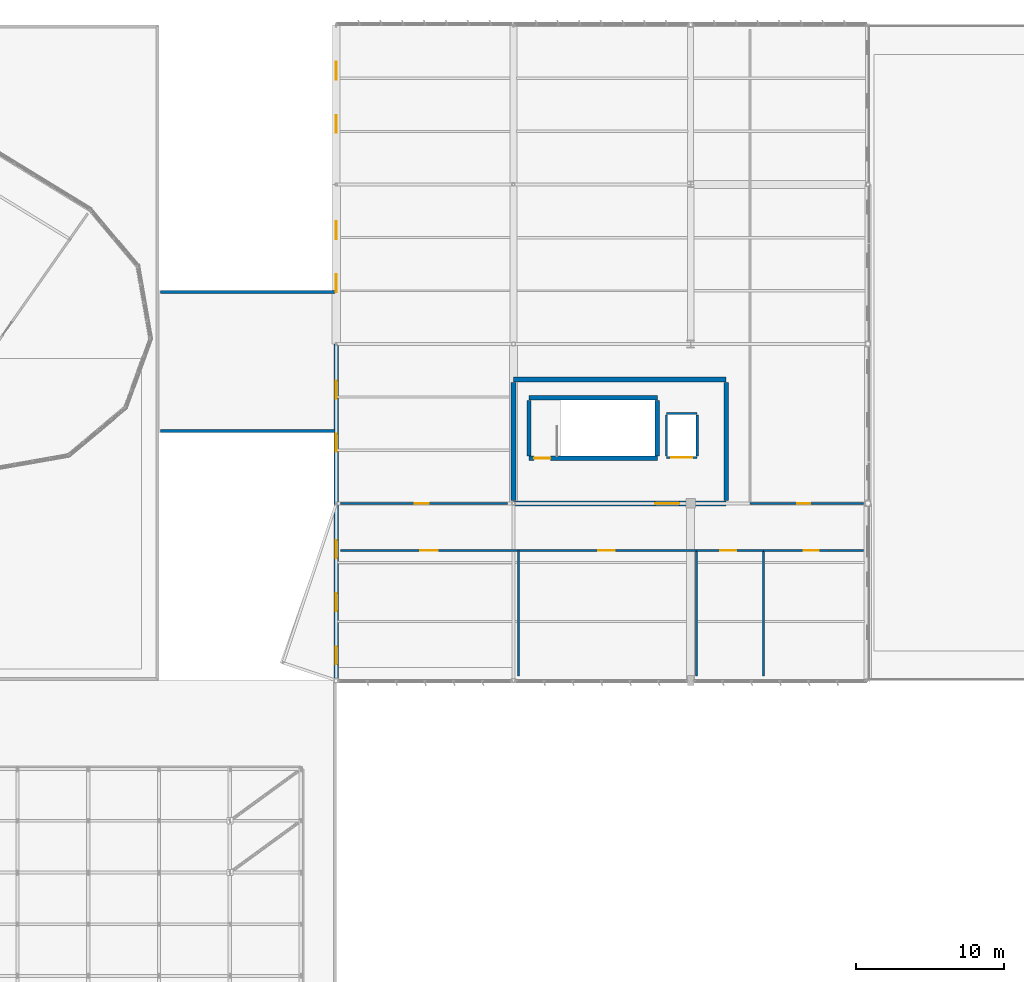
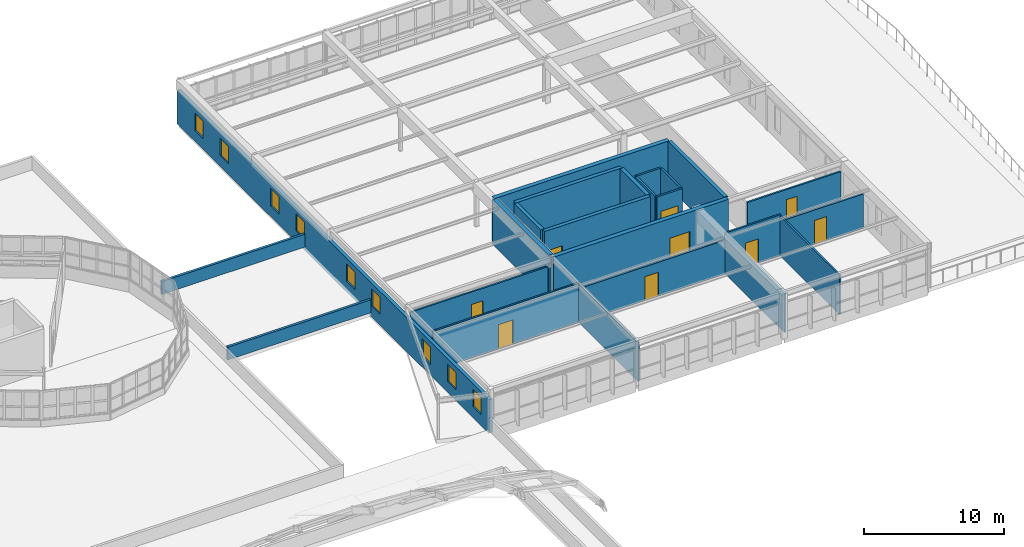
# One storey, part 111 of 128: 24 walls, 9 doors, 9 windows, 18 openings.
"""IFC4 building model written with IfcOpenShell, lengths in metres."""

from ifc_helpers import new_model, si_unit, direction, frame, frame_2d, origin, place, context, subcontext, project, spatial, rectangle, extrude, material, layer, layer_set, type_object, element, fill, save


model = new_model("IFC4")

# Units and contexts
model_context = context("Model", 3, precision=1e-05, world=origin(), true_north=direction((0.0, 1.0)))
body_context = subcontext(model_context, "Body", "Model", "MODEL_VIEW")
ifc_project = project(units=[si_unit("LENGTHUNIT", "METRE"), si_unit("AREAUNIT", "SQUARE_METRE"), si_unit("VOLUMEUNIT", "CUBIC_METRE"), si_unit("PLANEANGLEUNIT", "RADIAN"), si_unit("MASSUNIT", "GRAM", prefix="KILO")], contexts=[model_context])

# Site, building, storey
site_placement = place(None, origin())
site = spatial("IfcSite", under=ifc_project, at=site_placement, CompositionType="ELEMENT")
building_placement = place(site_placement, origin())
building = spatial("IfcBuilding", under=site, at=building_placement, Name="Tarnwether General Hospital", CompositionType="ELEMENT")
storey_placement = place(building_placement, frame((0.0, 0.0, 14.39990234375)))
storey = spatial("IfcBuildingStorey", under=building, at=storey_placement, Name="L03", CompositionType="ELEMENT", Elevation=14.39990234375)

# Wall, openings, windows
ifc_material_1 = material(Name="Precast concrete 40 MPa", Category="concrete")
ifc_layer_1 = layer(ifc_material_1, 0.280029296875)
ifc_layer_set_1 = layer_set([ifc_layer_1], Name="Precast concrete 40 MPa")
wall_type_1 = type_object("IfcWallType", Name="WL-EX280", PredefinedType="STANDARD", material=ifc_layer_set_1)
wall_1_placement = place(storey_placement, frame((144.0, 81.60009765625, 0.0), z_axis=(0.0, 0.0, 1.0), x_axis=(0.0, 1.0, 0.0)))
wall_1 = element("IfcWall", 1, at=wall_1_placement, inside=storey, type_object=wall_type_1, Name="L03 Outpatient North West Wall EW-L03-0328", PredefinedType="STANDARD", context=body_context, shape_type="SweptSolid", body=[
    extrude(rectangle(XDim=44.39990234375, YDim=0.280029296875, at=frame_2d((22.199951171875, 0.0))), origin(), (0.0, 0.0, 1.0), 2.93505859375),
])
opening_1_placement = place(wall_1_placement, frame((1.10009765625, 0.0, 0.949951171875)))
opening_1 = element("IfcOpeningElement", 2, at=opening_1_placement, cuts=wall_1, Name="Opening W-01", PredefinedType="OPENING", context=body_context, shape_type="SweptSolid", body=[
    extrude(rectangle(XDim=1.199951171875, YDim=1.5, at=frame_2d((0.60009765625, 0.75))), frame((0.0, 0.14990234375, 0.0), z_axis=(0.0, -1.0, 0.0), x_axis=(1.0, 0.0, 0.0)), (0.0, 0.0, 1.0), 0.300048828125),
])
opening_2_placement = place(wall_1_placement, frame((4.699951171875, 0.0, 0.949951171875)))
opening_2 = element("IfcOpeningElement", 3, at=opening_2_placement, cuts=wall_1, Name="Opening W-01", PredefinedType="OPENING", context=body_context, shape_type="SweptSolid", body=[
    extrude(rectangle(XDim=1.199951171875, YDim=1.5, at=frame_2d((0.60009765625, 0.75))), frame((0.0, 0.14990234375, 0.0), z_axis=(0.0, -1.0, 0.0), x_axis=(1.0, 0.0, 0.0)), (0.0, 0.0, 1.0), 0.300048828125),
])
opening_3_placement = place(wall_1_placement, frame((8.300048828125, 0.0, 0.949951171875)))
opening_3 = element("IfcOpeningElement", 4, at=opening_3_placement, cuts=wall_1, Name="Opening W-01", PredefinedType="OPENING", context=body_context, shape_type="SweptSolid", body=[
    extrude(rectangle(XDim=1.199951171875, YDim=1.5, at=frame_2d((0.60009765625, 0.75))), frame((0.0, 0.14990234375, 0.0), z_axis=(0.0, -1.0, 0.0), x_axis=(1.0, 0.0, 0.0)), (0.0, 0.0, 1.0), 0.300048828125),
])
opening_4_placement = place(wall_1_placement, frame((15.5, 0.0, 0.949951171875)))
opening_4 = element("IfcOpeningElement", 5, at=opening_4_placement, cuts=wall_1, Name="Opening W-01", PredefinedType="OPENING", context=body_context, shape_type="SweptSolid", body=[
    extrude(rectangle(XDim=1.199951171875, YDim=1.5, at=frame_2d((0.60009765625, 0.75))), frame((0.0, 0.14990234375, 0.0), z_axis=(0.0, -1.0, 0.0), x_axis=(1.0, 0.0, 0.0)), (0.0, 0.0, 1.0), 0.300048828125),
])
opening_5_placement = place(wall_1_placement, frame((19.10009765625, 0.0, 0.949951171875)))
opening_5 = element("IfcOpeningElement", 6, at=opening_5_placement, cuts=wall_1, Name="Opening W-01", PredefinedType="OPENING", context=body_context, shape_type="SweptSolid", body=[
    extrude(rectangle(XDim=1.199951171875, YDim=1.5, at=frame_2d((0.60009765625, 0.75))), frame((0.0, 0.14990234375, 0.0), z_axis=(0.0, -1.0, 0.0), x_axis=(1.0, 0.0, 0.0)), (0.0, 0.0, 1.0), 0.300048828125),
])
opening_6_placement = place(wall_1_placement, frame((26.300048828125, 0.0, 0.949951171875)))
opening_6 = element("IfcOpeningElement", 7, at=opening_6_placement, cuts=wall_1, Name="Opening W-01", PredefinedType="OPENING", context=body_context, shape_type="SweptSolid", body=[
    extrude(rectangle(XDim=1.199951171875, YDim=1.5, at=frame_2d((0.60009765625, 0.75))), frame((0.0, 0.14990234375, 0.0), z_axis=(0.0, -1.0, 0.0), x_axis=(1.0, 0.0, 0.0)), (0.0, 0.0, 1.0), 0.300048828125),
])
opening_7_placement = place(wall_1_placement, frame((29.89990234375, 0.0, 0.949951171875)))
opening_7 = element("IfcOpeningElement", 8, at=opening_7_placement, cuts=wall_1, Name="Opening W-01", PredefinedType="OPENING", context=body_context, shape_type="SweptSolid", body=[
    extrude(rectangle(XDim=1.199951171875, YDim=1.5, at=frame_2d((0.60009765625, 0.75))), frame((0.0, 0.14990234375, 0.0), z_axis=(0.0, -1.0, 0.0), x_axis=(1.0, 0.0, 0.0)), (0.0, 0.0, 1.0), 0.300048828125),
])
opening_8_placement = place(wall_1_placement, frame((37.10009765625, 0.0, 0.949951171875)))
opening_8 = element("IfcOpeningElement", 9, at=opening_8_placement, cuts=wall_1, Name="Opening W-01", PredefinedType="OPENING", context=body_context, shape_type="SweptSolid", body=[
    extrude(rectangle(XDim=1.199951171875, YDim=1.5, at=frame_2d((0.60009765625, 0.75))), frame((0.0, 0.14990234375, 0.0), z_axis=(0.0, -1.0, 0.0), x_axis=(1.0, 0.0, 0.0)), (0.0, 0.0, 1.0), 0.300048828125),
])
opening_9_placement = place(wall_1_placement, frame((40.699951171875, 0.0, 0.949951171875)))
opening_9 = element("IfcOpeningElement", 10, at=opening_9_placement, cuts=wall_1, Name="Opening W-01", PredefinedType="OPENING", context=body_context, shape_type="SweptSolid", body=[
    extrude(rectangle(XDim=1.199951171875, YDim=1.5, at=frame_2d((0.60009765625, 0.75))), frame((0.0, 0.14990234375, 0.0), z_axis=(0.0, -1.0, 0.0), x_axis=(1.0, 0.0, 0.0)), (0.0, 0.0, 1.0), 0.300048828125),
])
ifc_material_2 = material(Name="Double glazed low-E glass", Category="glass")
window_type = type_object("IfcWindowType", Name="WN-01", PartitioningType="SINGLE_PANEL", PredefinedType="WINDOW", material=ifc_material_2)
window_1_placement = place(opening_1_placement, origin())
window_1 = element("IfcWindow", 11, at=window_1_placement, inside=storey, type_object=window_type, Name="Window WN-L03-0169", OverallHeight=1.5, OverallWidth=1.199951171875, PartitioningType="SINGLE_PANEL", PredefinedType="WINDOW", context=body_context, shape_type="SweptSolid", body=[
    extrude(rectangle(XDim=1.199951171875, YDim=1.5, at=frame_2d((0.60009765625, 0.75))), frame((0.0, 0.030029296875, 0.0), z_axis=(0.0, -1.0, 0.0), x_axis=(1.0, 0.0, 0.0)), (0.0, 0.0, 1.0), 0.06005859375),
])
fill(opening_1, window_1)
window_2_placement = place(opening_2_placement, origin())
window_2 = element("IfcWindow", 12, at=window_2_placement, inside=storey, type_object=window_type, Name="Window WN-L03-0170", OverallHeight=1.5, OverallWidth=1.199951171875, PartitioningType="SINGLE_PANEL", PredefinedType="WINDOW", context=body_context, shape_type="SweptSolid", body=[
    extrude(rectangle(XDim=1.199951171875, YDim=1.5, at=frame_2d((0.60009765625, 0.75))), frame((0.0, 0.030029296875, 0.0), z_axis=(0.0, -1.0, 0.0), x_axis=(1.0, 0.0, 0.0)), (0.0, 0.0, 1.0), 0.06005859375),
])
fill(opening_2, window_2)
window_3_placement = place(opening_3_placement, origin())
window_3 = element("IfcWindow", 13, at=window_3_placement, inside=storey, type_object=window_type, Name="Window WN-L03-0171", OverallHeight=1.5, OverallWidth=1.199951171875, PartitioningType="SINGLE_PANEL", PredefinedType="WINDOW", context=body_context, shape_type="SweptSolid", body=[
    extrude(rectangle(XDim=1.199951171875, YDim=1.5, at=frame_2d((0.60009765625, 0.75))), frame((0.0, 0.030029296875, 0.0), z_axis=(0.0, -1.0, 0.0), x_axis=(1.0, 0.0, 0.0)), (0.0, 0.0, 1.0), 0.06005859375),
])
fill(opening_3, window_3)
window_4_placement = place(opening_4_placement, origin())
window_4 = element("IfcWindow", 14, at=window_4_placement, inside=storey, type_object=window_type, Name="Window WN-L03-0172", OverallHeight=1.5, OverallWidth=1.199951171875, PartitioningType="SINGLE_PANEL", PredefinedType="WINDOW", context=body_context, shape_type="SweptSolid", body=[
    extrude(rectangle(XDim=1.199951171875, YDim=1.5, at=frame_2d((0.60009765625, 0.75))), frame((0.0, 0.030029296875, 0.0), z_axis=(0.0, -1.0, 0.0), x_axis=(1.0, 0.0, 0.0)), (0.0, 0.0, 1.0), 0.06005859375),
])
fill(opening_4, window_4)
window_5_placement = place(opening_5_placement, origin())
window_5 = element("IfcWindow", 15, at=window_5_placement, inside=storey, type_object=window_type, Name="Window WN-L03-0173", OverallHeight=1.5, OverallWidth=1.199951171875, PartitioningType="SINGLE_PANEL", PredefinedType="WINDOW", context=body_context, shape_type="SweptSolid", body=[
    extrude(rectangle(XDim=1.199951171875, YDim=1.5, at=frame_2d((0.60009765625, 0.75))), frame((0.0, 0.030029296875, 0.0), z_axis=(0.0, -1.0, 0.0), x_axis=(1.0, 0.0, 0.0)), (0.0, 0.0, 1.0), 0.06005859375),
])
fill(opening_5, window_5)
window_6_placement = place(opening_6_placement, origin())
window_6 = element("IfcWindow", 16, at=window_6_placement, inside=storey, type_object=window_type, Name="Window WN-L03-0174", OverallHeight=1.5, OverallWidth=1.199951171875, PartitioningType="SINGLE_PANEL", PredefinedType="WINDOW", context=body_context, shape_type="SweptSolid", body=[
    extrude(rectangle(XDim=1.199951171875, YDim=1.5, at=frame_2d((0.60009765625, 0.75))), frame((0.0, 0.030029296875, 0.0), z_axis=(0.0, -1.0, 0.0), x_axis=(1.0, 0.0, 0.0)), (0.0, 0.0, 1.0), 0.06005859375),
])
fill(opening_6, window_6)
window_7_placement = place(opening_7_placement, origin())
window_7 = element("IfcWindow", 17, at=window_7_placement, inside=storey, type_object=window_type, Name="Window WN-L03-0175", OverallHeight=1.5, OverallWidth=1.199951171875, PartitioningType="SINGLE_PANEL", PredefinedType="WINDOW", context=body_context, shape_type="SweptSolid", body=[
    extrude(rectangle(XDim=1.199951171875, YDim=1.5, at=frame_2d((0.60009765625, 0.75))), frame((0.0, 0.030029296875, 0.0), z_axis=(0.0, -1.0, 0.0), x_axis=(1.0, 0.0, 0.0)), (0.0, 0.0, 1.0), 0.06005859375),
])
fill(opening_7, window_7)
window_8_placement = place(opening_8_placement, origin())
window_8 = element("IfcWindow", 18, at=window_8_placement, inside=storey, type_object=window_type, Name="Window WN-L03-0176", OverallHeight=1.5, OverallWidth=1.199951171875, PartitioningType="SINGLE_PANEL", PredefinedType="WINDOW", context=body_context, shape_type="SweptSolid", body=[
    extrude(rectangle(XDim=1.199951171875, YDim=1.5, at=frame_2d((0.60009765625, 0.75))), frame((0.0, 0.030029296875, 0.0), z_axis=(0.0, -1.0, 0.0), x_axis=(1.0, 0.0, 0.0)), (0.0, 0.0, 1.0), 0.06005859375),
])
fill(opening_8, window_8)
window_9_placement = place(opening_9_placement, origin())
window_9 = element("IfcWindow", 19, at=window_9_placement, inside=storey, type_object=window_type, Name="Window WN-L03-0177", OverallHeight=1.5, OverallWidth=1.199951171875, PartitioningType="SINGLE_PANEL", PredefinedType="WINDOW", context=body_context, shape_type="SweptSolid", body=[
    extrude(rectangle(XDim=1.199951171875, YDim=1.5, at=frame_2d((0.60009765625, 0.75))), frame((0.0, 0.030029296875, 0.0), z_axis=(0.0, -1.0, 0.0), x_axis=(1.0, 0.0, 0.0)), (0.0, 0.0, 1.0), 0.06005859375),
])
fill(opening_9, window_9)

# Walls
ifc_material_3 = material(Name="Precast concrete 40 MPa", Category="concrete")
ifc_layer_2 = layer(ifc_material_3, 0.199951171875)
ifc_layer_set_2 = layer_set([ifc_layer_2], Name="Precast concrete 40 MPa")
wall_type_2 = type_object("IfcWallType", Name="WL-PR200", PredefinedType="PARAPET", material=ifc_layer_set_2)
for number, where, z_axis, x_axis, name in (
    (20, (143.89990234375, 98.5, 0.31005859375), (0.0, 0.0, 1.0), (-1.0, 0.0, 0.0), "Flat Roof Parapet EW-L03-0361"),
    (21, (132.10009765625, 107.89990234375, 0.31005859375), (0.0, 0.0, 1.0), (1.0, 0.0, 0.0), "Flat Roof Parapet EW-L03-0362"),
):
    element("IfcWall", number, at=place(storey_placement, frame(where, z_axis=z_axis, x_axis=x_axis)), inside=storey, type_object=wall_type_2, Name=name, PredefinedType="PARAPET", context=body_context, shape_type="SweptSolid", body=[
        extrude(rectangle(XDim=11.7998046875, YDim=0.199951171875, at=frame_2d((5.89990234375, 0.0))), origin(), (0.0, 0.0, 1.0), 1.1201171875),
    ])

# Wall, opening, door
ifc_material_4 = material(Name="Gypsum plasterboard")
ifc_layer_3 = layer(ifc_material_4, 0.139892578125)
ifc_layer_set_3 = layer_set([ifc_layer_3], Name="Gypsum plasterboard")
wall_type_3 = type_object("IfcWallType", Name="WL-PT140", PredefinedType="PARTITIONING", material=ifc_layer_set_3)
wall_2_placement = place(storey_placement, frame((144.300048828125, 90.39990234375, 0.0), z_axis=(0.0, 0.0, 1.0), x_axis=(1.0, 0.0, 0.0)))
wall_2 = element("IfcWall", 22, at=wall_2_placement, inside=storey, type_object=wall_type_3, Name="Interior Partition PT-L03-0362", PredefinedType="PARTITIONING", context=body_context, shape_type="SweptSolid", body=[
    extrude(rectangle(XDim=12.051025390625, YDim=0.139892578125, at=frame_2d((6.025390625, 0.0))), origin(), (0.0, 0.0, 1.0), 3.427978515625),
])
opening_10_placement = place(wall_2_placement, frame((5.3759765625, 0.0, 0.0)))
opening_10 = element("IfcOpeningElement", 23, at=opening_10_placement, cuts=wall_2, Name="Opening D-05", PredefinedType="OPENING", context=body_context, shape_type="SweptSolid", body=[
    extrude(rectangle(XDim=1.199951171875, YDim=2.1201171875, at=frame_2d((0.60009765625, 1.06005859375))), frame((0.0, 0.080078125, 0.0), z_axis=(0.0, -1.0, 0.0), x_axis=(1.0, 0.0, 0.0)), (0.0, 0.0, 1.0), 0.159912109375),
])
ifc_material_5 = material(Name="Anodised aluminium", Category="aluminium")
door_type_1 = type_object("IfcDoorType", Name="DR-IN05", OperationType="NOTDEFINED", PredefinedType="DOOR", material=ifc_material_5)
door_1_placement = place(opening_10_placement, origin())
door_1 = element("IfcDoor", 24, at=door_1_placement, inside=storey, type_object=door_type_1, Name="Interior Door DR-L03-0201", OperationType="SINGLE_SWING_LEFT", OverallHeight=2.1201171875, OverallWidth=1.199951171875, PredefinedType="DOOR", context=body_context, shape_type="SweptSolid", body=[
    extrude(rectangle(XDim=1.199951171875, YDim=2.1201171875, at=frame_2d((0.60009765625, 1.06005859375))), frame((0.0, 0.02490234375, 0.0), z_axis=(0.0, -1.0, 0.0), x_axis=(1.0, 0.0, 0.0)), (0.0, 0.0, 1.0), 0.050048828125),
])
fill(opening_10, door_1)

# Wall
wall_3_placement = place(storey_placement, frame((156.35107421875, 81.89990234375, 0.0), z_axis=(0.0, 0.0, 1.0), x_axis=(0.0, 1.0, 0.0)))
element("IfcWall", 25, at=wall_3_placement, inside=storey, type_object=wall_type_3, Name="Interior Partition PT-L03-0363", PredefinedType="PARTITIONING", context=body_context, shape_type="SweptSolid", body=[
    extrude(rectangle(XDim=8.5, YDim=0.139892578125, at=frame_2d((4.25, 0.0))), origin(), (0.0, 0.0, 1.0), 3.357177734375),
])

# Wall, opening, door
wall_4_placement = place(storey_placement, frame((156.35107421875, 90.39990234375, 0.0), z_axis=(0.0, 0.0, 1.0), x_axis=(1.0, 0.0, 0.0)))
wall_4 = element("IfcWall", 26, at=wall_4_placement, inside=storey, type_object=wall_type_3, Name="Interior Partition PT-L03-0364", PredefinedType="PARTITIONING", context=body_context, shape_type="SweptSolid", body=[
    extrude(rectangle(XDim=12.051025390625, YDim=0.139892578125, at=frame_2d((6.025390625, 0.0))), origin(), (0.0, 0.0, 1.0), 2.93505859375),
])
opening_11_placement = place(wall_4_placement, frame((5.3759765625, 0.0, 0.0)))
opening_11 = element("IfcOpeningElement", 27, at=opening_11_placement, cuts=wall_4, Name="Opening D-07", PredefinedType="OPENING", context=body_context, shape_type="SweptSolid", body=[
    extrude(rectangle(XDim=1.1201171875, YDim=2.080078125, at=frame_2d((0.56005859375, 1.0400390625))), frame((0.0, 0.080078125, 0.0), z_axis=(0.0, -1.0, 0.0), x_axis=(1.0, 0.0, 0.0)), (0.0, 0.0, 1.0), 0.159912109375),
])
ifc_material_6 = material(Name="Anodised aluminium", Category="aluminium")
door_type_2 = type_object("IfcDoorType", Name="DR-IN07", OperationType="NOTDEFINED", PredefinedType="DOOR", material=ifc_material_6)
door_2_placement = place(opening_11_placement, origin())
door_2 = element("IfcDoor", 28, at=door_2_placement, inside=storey, type_object=door_type_2, Name="Interior Door DR-L03-0202", OperationType="SINGLE_SWING_RIGHT", OverallHeight=2.080078125, OverallWidth=1.1201171875, PredefinedType="DOOR", context=body_context, shape_type="SweptSolid", body=[
    extrude(rectangle(XDim=1.1201171875, YDim=2.080078125, at=frame_2d((0.56005859375, 1.0400390625))), frame((0.0, 0.02490234375, 0.0), z_axis=(0.0, -1.0, 0.0), x_axis=(1.0, 0.0, 0.0)), (0.0, 0.0, 1.0), 0.050048828125),
])
fill(opening_11, door_2)

# Wall
wall_5_placement = place(storey_placement, frame((168.402099609375, 81.89990234375, 0.0), z_axis=(0.0, 0.0, 1.0), x_axis=(0.0, 1.0, 0.0)))
element("IfcWall", 29, at=wall_5_placement, inside=storey, type_object=wall_type_3, Name="Interior Partition PT-L03-0365", PredefinedType="PARTITIONING", context=body_context, shape_type="SweptSolid", body=[
    extrude(rectangle(XDim=8.5, YDim=0.139892578125, at=frame_2d((4.25, 0.0))), origin(), (0.0, 0.0, 1.0), 3.425048828125),
])

# Wall, opening, door
wall_6_placement = place(storey_placement, frame((168.402099609375, 90.39990234375, 0.0), z_axis=(0.0, 0.0, 1.0), x_axis=(1.0, 0.0, 0.0)))
wall_6 = element("IfcWall", 30, at=wall_6_placement, inside=storey, type_object=wall_type_3, Name="Interior Partition PT-L03-0366", PredefinedType="PARTITIONING", context=body_context, shape_type="SweptSolid", body=[
    extrude(rectangle(XDim=4.518798828125, YDim=0.139892578125, at=frame_2d((2.25927734375, 0.0))), origin(), (0.0, 0.0, 1.0), 3.56005859375),
])
opening_12_placement = place(wall_6_placement, frame((1.610107421875, 0.0, 0.0)))
opening_12 = element("IfcOpeningElement", 31, at=opening_12_placement, cuts=wall_6, Name="Opening D-08", PredefinedType="OPENING", context=body_context, shape_type="SweptSolid", body=[
    extrude(rectangle(XDim=1.06005859375, YDim=2.10009765625, at=frame_2d((0.530029296875, 1.050048828125))), frame((0.0, 0.080078125, 0.0), z_axis=(0.0, -1.0, 0.0), x_axis=(1.0, 0.0, 0.0)), (0.0, 0.0, 1.0), 0.159912109375),
])
ifc_material_7 = material(Name="Anodised aluminium", Category="aluminium")
door_type_3 = type_object("IfcDoorType", Name="DR-IN08", OperationType="NOTDEFINED", PredefinedType="DOOR", material=ifc_material_7)
door_3_placement = place(opening_12_placement, origin())
door_3 = element("IfcDoor", 32, at=door_3_placement, inside=storey, type_object=door_type_3, Name="Interior Door DR-L03-0203", OperationType="SINGLE_SWING_LEFT", OverallHeight=2.10009765625, OverallWidth=1.06005859375, PredefinedType="DOOR", context=body_context, shape_type="SweptSolid", body=[
    extrude(rectangle(XDim=1.06005859375, YDim=2.10009765625, at=frame_2d((0.530029296875, 1.050048828125))), frame((0.0, 0.02490234375, 0.0), z_axis=(0.0, -1.0, 0.0), x_axis=(1.0, 0.0, 0.0)), (0.0, 0.0, 1.0), 0.050048828125),
])
fill(opening_12, door_3)

# Wall
wall_7_placement = place(storey_placement, frame((172.9208984375, 81.89990234375, 0.0), z_axis=(0.0, 0.0, 1.0), x_axis=(0.0, 1.0, 0.0)))
element("IfcWall", 33, at=wall_7_placement, inside=storey, type_object=wall_type_3, Name="Interior Partition PT-L03-0367", PredefinedType="PARTITIONING", context=body_context, shape_type="SweptSolid", body=[
    extrude(rectangle(XDim=8.5, YDim=0.139892578125, at=frame_2d((4.25, 0.0))), origin(), (0.0, 0.0, 1.0), 3.425048828125),
])

# Wall, opening, door
wall_8_placement = place(storey_placement, frame((172.9208984375, 90.39990234375, 0.0), z_axis=(0.0, 0.0, 1.0), x_axis=(1.0, 0.0, 0.0)))
wall_8 = element("IfcWall", 34, at=wall_8_placement, inside=storey, type_object=wall_type_3, Name="Interior Partition PT-L03-0368", PredefinedType="PARTITIONING", context=body_context, shape_type="SweptSolid", body=[
    extrude(rectangle(XDim=6.779052734375, YDim=0.139892578125, at=frame_2d((3.3896484375, 0.0))), origin(), (0.0, 0.0, 1.0), 2.985107421875),
])
opening_13_placement = place(wall_8_placement, frame((2.739013671875, 0.0, 0.0)))
opening_13 = element("IfcOpeningElement", 35, at=opening_13_placement, cuts=wall_8, Name="Opening D-09", PredefinedType="OPENING", context=body_context, shape_type="SweptSolid", body=[
    extrude(rectangle(XDim=1.02001953125, YDim=2.080078125, at=frame_2d((0.510009765625, 1.0400390625))), frame((0.0, 0.080078125, 0.0), z_axis=(0.0, -1.0, 0.0), x_axis=(1.0, 0.0, 0.0)), (0.0, 0.0, 1.0), 0.159912109375),
])
ifc_material_8 = material(Name="Anodised aluminium", Category="aluminium")
door_type_4 = type_object("IfcDoorType", Name="DR-IN09", OperationType="NOTDEFINED", PredefinedType="DOOR", material=ifc_material_8)
door_4_placement = place(opening_13_placement, origin())
door_4 = element("IfcDoor", 36, at=door_4_placement, inside=storey, type_object=door_type_4, Name="Interior Door DR-L03-0204", OperationType="SINGLE_SWING_RIGHT", OverallHeight=2.080078125, OverallWidth=1.02001953125, PredefinedType="DOOR", context=body_context, shape_type="SweptSolid", body=[
    extrude(rectangle(XDim=1.02001953125, YDim=2.080078125, at=frame_2d((0.510009765625, 1.0400390625))), frame((0.0, 0.02490234375, 0.0), z_axis=(0.0, -1.0, 0.0), x_axis=(1.0, 0.0, 0.0)), (0.0, 0.0, 1.0), 0.050048828125),
])
fill(opening_13, door_4)

wall_9_placement = place(storey_placement, frame((144.300048828125, 93.60009765625, 0.0), z_axis=(0.0, 0.0, 1.0), x_axis=(1.0, 0.0, 0.0)))
wall_9 = element("IfcWall", 37, at=wall_9_placement, inside=storey, type_object=wall_type_3, Name="Interior Partition PT-L03-0369", PredefinedType="PARTITIONING", context=body_context, shape_type="SweptSolid", body=[
    extrude(rectangle(XDim=11.300048828125, YDim=0.139892578125, at=frame_2d((5.64990234375, 0.0))), origin(), (0.0, 0.0, 1.0), 3.14208984375),
])
opening_14_placement = place(wall_9_placement, frame((5.0, 0.0, 0.0)))
opening_14 = element("IfcOpeningElement", 38, at=opening_14_placement, cuts=wall_9, Name="Opening D-10", PredefinedType="OPENING", context=body_context, shape_type="SweptSolid", body=[
    extrude(rectangle(XDim=0.9599609375, YDim=2.06005859375, at=frame_2d((0.47998046875, 1.030029296875))), frame((0.0, 0.080078125, 0.0), z_axis=(0.0, -1.0, 0.0), x_axis=(1.0, 0.0, 0.0)), (0.0, 0.0, 1.0), 0.159912109375),
])
ifc_material_9 = material(Name="Anodised aluminium", Category="aluminium")
door_type_5 = type_object("IfcDoorType", Name="DR-IN10", OperationType="NOTDEFINED", PredefinedType="DOOR", material=ifc_material_9)
door_5_placement = place(opening_14_placement, origin())
door_5 = element("IfcDoor", 39, at=door_5_placement, inside=storey, type_object=door_type_5, Name="Interior Door DR-L03-0205", OperationType="SINGLE_SWING_LEFT", OverallHeight=2.06005859375, OverallWidth=0.9599609375, PredefinedType="DOOR", context=body_context, shape_type="SweptSolid", body=[
    extrude(rectangle(XDim=0.9599609375, YDim=2.06005859375, at=frame_2d((0.47998046875, 1.030029296875))), frame((0.0, 0.02490234375, 0.0), z_axis=(0.0, -1.0, 0.0), x_axis=(1.0, 0.0, 0.0)), (0.0, 0.0, 1.0), 0.050048828125),
])
fill(opening_14, door_5)

wall_10_placement = place(storey_placement, frame((172.00390625, 93.60009765625, 0.0), z_axis=(0.0, 0.0, 1.0), x_axis=(1.0, 0.0, 0.0)))
wall_10 = element("IfcWall", 40, at=wall_10_placement, inside=storey, type_object=wall_type_3, Name="Interior Partition PT-L03-0371", PredefinedType="PARTITIONING", context=body_context, shape_type="SweptSolid", body=[
    extrude(rectangle(XDim=7.696044921875, YDim=0.139892578125, at=frame_2d((3.84814453125, 0.0))), origin(), (0.0, 0.0, 1.0), 2.985107421875),
])
opening_15_placement = place(wall_10_placement, frame((3.197998046875, 0.0, 0.0)))
opening_15 = element("IfcOpeningElement", 41, at=opening_15_placement, cuts=wall_10, Name="Opening D-11", PredefinedType="OPENING", context=body_context, shape_type="SweptSolid", body=[
    extrude(rectangle(XDim=0.89990234375, YDim=2.10009765625, at=frame_2d((0.449951171875, 1.050048828125))), frame((0.0, 0.080078125, 0.0), z_axis=(0.0, -1.0, 0.0), x_axis=(1.0, 0.0, 0.0)), (0.0, 0.0, 1.0), 0.159912109375),
])
ifc_material_10 = material(Name="Anodised aluminium", Category="aluminium")
door_type_6 = type_object("IfcDoorType", Name="DR-IN11", OperationType="NOTDEFINED", PredefinedType="DOOR", material=ifc_material_10)
door_6_placement = place(opening_15_placement, origin())
door_6 = element("IfcDoor", 42, at=door_6_placement, inside=storey, type_object=door_type_6, Name="Interior Door DR-L03-0206", OperationType="SINGLE_SWING_RIGHT", OverallHeight=2.10009765625, OverallWidth=0.89990234375, PredefinedType="DOOR", context=body_context, shape_type="SweptSolid", body=[
    extrude(rectangle(XDim=0.89990234375, YDim=2.10009765625, at=frame_2d((0.449951171875, 1.050048828125))), frame((0.0, 0.02490234375, 0.0), z_axis=(0.0, -1.0, 0.0), x_axis=(1.0, 0.0, 0.0)), (0.0, 0.0, 1.0), 0.050048828125),
])
fill(opening_15, door_6)

ifc_material_11 = material(Name="Gypsum plasterboard")
ifc_layer_4 = layer(ifc_material_11, 0.159912109375)
ifc_layer_set_4 = layer_set([ifc_layer_4], Name="Gypsum plasterboard")
wall_type_4 = type_object("IfcWallType", Name="WL-PT160", PredefinedType="PARTITIONING", material=ifc_layer_set_4)
wall_11_placement = place(storey_placement, frame((166.360107421875, 96.7099609375, 0.0), z_axis=(0.0, 0.0, 1.0), x_axis=(1.0, 0.0, 0.0)))
wall_11 = element("IfcWall", 43, at=wall_11_placement, inside=storey, type_object=wall_type_4, Name="Lift L-06 Shaft Wall LSH-L-06-L03-S", PredefinedType="PARTITIONING", context=body_context, shape_type="SweptSolid", body=[
    extrude(rectangle(XDim=2.079833984375, YDim=0.159912109375, at=frame_2d((1.0400390625, 0.0))), origin(), (0.0, 0.0, 1.0), 3.56005859375),
])
opening_16_placement = place(wall_11_placement, frame((0.340087890625, 0.0, 0.0)))
opening_16 = element("IfcOpeningElement", 44, at=opening_16_placement, cuts=wall_11, Name="Opening LD-01", PredefinedType="OPENING", context=body_context, shape_type="SweptSolid", body=[
    extrude(rectangle(XDim=1.39990234375, YDim=2.199951171875, at=frame_2d((0.699951171875, 1.10009765625))), frame((0.0, 0.08984375, 0.0), z_axis=(0.0, -1.0, 0.0), x_axis=(1.0, 0.0, 0.0)), (0.0, 0.0, 1.0), 0.179931640625),
])
ifc_material_12 = material(Name="Anodised aluminium", Category="aluminium")
door_type_7 = type_object("IfcDoorType", Name="DR-LD01", OperationType="NOTDEFINED", PredefinedType="DOOR", material=ifc_material_12)
door_7_placement = place(opening_16_placement, origin())
door_7 = element("IfcDoor", 45, at=door_7_placement, inside=storey, type_object=door_type_7, Name="Lift L-06 Sliding Landing Door L03", OperationType="SLIDING_TO_RIGHT", OverallHeight=2.199951171875, OverallWidth=1.39990234375, PredefinedType="DOOR", context=body_context, shape_type="SweptSolid", body=[
    extrude(rectangle(XDim=1.39990234375, YDim=2.199951171875, at=frame_2d((0.699951171875, 1.10009765625))), frame((0.0, 0.02490234375, 0.0), z_axis=(0.0, -1.0, 0.0), x_axis=(1.0, 0.0, 0.0)), (0.0, 0.0, 1.0), 0.050048828125),
])
fill(opening_16, door_7)

# Walls
wall_12_placement = place(storey_placement, frame((168.43994140625, 99.68994140625, 0.0), z_axis=(0.0, 0.0, 1.0), x_axis=(-1.0, 0.0, 0.0)))
element("IfcWall", 46, at=wall_12_placement, inside=storey, type_object=wall_type_4, Name="Lift L-06 Shaft Wall LSH-L-06-L03-N", PredefinedType="PARTITIONING", context=body_context, shape_type="SweptSolid", body=[
    extrude(rectangle(XDim=2.079833984375, YDim=0.159912109375, at=frame_2d((1.0400390625, 0.0))), origin(), (0.0, 0.0, 1.0), 3.56005859375),
])
for number, where, z_axis, x_axis, name in (
    (47, (166.360107421875, 99.590087890625, 0.0), (0.0, 0.0, 1.0), (0.0, -1.0, 0.0), "Lift L-06 Shaft Wall LSH-L-06-L03-W"),
    (48, (168.43994140625, 96.81005859375, 0.0), (0.0, 0.0, 1.0), (0.0, 1.0, 0.0), "Lift L-06 Shaft Wall LSH-L-06-L03-E"),
):
    element("IfcWall", number, at=place(storey_placement, frame(where, z_axis=z_axis, x_axis=x_axis)), inside=storey, type_object=wall_type_4, Name=name, PredefinedType="PARTITIONING", context=body_context, shape_type="SweptSolid", body=[
        extrude(rectangle(XDim=2.780029296875, YDim=0.159912109375, at=frame_2d((1.39013671875, 0.0))), origin(), (0.0, 0.0, 1.0), 3.56005859375),
    ])
ifc_material_13 = material(Name="Concrete 50 MPa", Category="concrete")
ifc_layer_5 = layer(ifc_material_13, 0.300048828125)
ifc_layer_set_5 = layer_set([ifc_layer_5], Name="Concrete 50 MPa")
wall_type_5 = type_object("IfcWallType", Name="WL-SW300", PredefinedType="SHEAR", material=ifc_layer_set_5)
wall_13_placement = place(storey_placement, frame((170.39990234375, 101.800048828125, 0.0), z_axis=(0.0, 0.0, 1.0), x_axis=(0.0, -1.0, 0.0)))
element("IfcWall", 49, at=wall_13_placement, inside=storey, type_object=wall_type_5, Name="Core Shear Wall CWALL-K6-L03-E", PredefinedType="SHEAR", context=body_context, shape_type="SweptSolid", body=[
    extrude(rectangle(XDim=8.0, YDim=0.300048828125, at=frame_2d((4.0, 0.0))), origin(), (0.0, 0.0, 1.0), 3.900146484375),
])

# Wall, opening, door
wall_14_placement = place(storey_placement, frame((157.050048828125, 96.64990234375, 0.0), z_axis=(0.0, 0.0, 1.0), x_axis=(1.0, 0.0, 0.0)))
wall_14 = element("IfcWall", 50, at=wall_14_placement, inside=storey, type_object=wall_type_5, Name="Stairwell Shear Wall STW-ST-06-L03-B", PredefinedType="SHEAR", context=body_context, shape_type="SweptSolid", body=[
    extrude(rectangle(XDim=8.699951171875, YDim=0.300048828125, at=frame_2d((4.35009765625, 0.0))), origin(), (0.0, 0.0, 1.0), 3.900146484375),
])
opening_17_placement = place(wall_14_placement, frame((0.35009765625, 0.0, 0.0)))
opening_17 = element("IfcOpeningElement", 51, at=opening_17_placement, cuts=wall_14, Name="Opening FD-06", PredefinedType="OPENING", context=body_context, shape_type="SweptSolid", body=[
    extrude(rectangle(XDim=1.10009765625, YDim=2.14990234375, at=frame_2d((0.550048828125, 1.074951171875))), frame((0.0, 0.16015625, 0.0), z_axis=(0.0, -1.0, 0.0), x_axis=(1.0, 0.0, 0.0)), (0.0, 0.0, 1.0), 0.320068359375),
])
ifc_material_14 = material(Name="Anodised aluminium", Category="aluminium")
door_type_8 = type_object("IfcDoorType", Name="DR-FD06", OperationType="NOTDEFINED", PredefinedType="DOOR", material=ifc_material_14)
door_8_placement = place(opening_17_placement, origin())
door_8 = element("IfcDoor", 52, at=door_8_placement, inside=storey, type_object=door_type_8, Name="Stairwell ST-06 Safe-Path Fire Door L03", OperationType="SINGLE_SWING_LEFT", OverallHeight=2.14990234375, OverallWidth=1.10009765625, PredefinedType="DOOR", context=body_context, shape_type="SweptSolid", body=[
    extrude(rectangle(XDim=1.10009765625, YDim=2.14990234375, at=frame_2d((0.550048828125, 1.074951171875))), frame((0.0, 0.02490234375, 0.0), z_axis=(0.0, -1.0, 0.0), x_axis=(1.0, 0.0, 0.0)), (0.0, 0.0, 1.0), 0.050048828125),
])
fill(opening_17, door_8)

# Walls
wall_15_placement = place(storey_placement, frame((165.75, 100.75, 0.0), z_axis=(0.0, 0.0, 1.0), x_axis=(-1.0, 0.0, 0.0)))
element("IfcWall", 53, at=wall_15_placement, inside=storey, type_object=wall_type_5, Name="Stairwell Shear Wall STW-ST-06-L03-N", PredefinedType="SHEAR", context=body_context, shape_type="SweptSolid", body=[
    extrude(rectangle(XDim=8.699951171875, YDim=0.300048828125, at=frame_2d((4.35009765625, 0.0))), origin(), (0.0, 0.0, 1.0), 3.900146484375),
])
for number, where, z_axis, x_axis, name in (
    (54, (157.050048828125, 96.820068359375, 0.0), (0.0, 0.0, 1.0), (0.0, 1.0, 0.0), "Stairwell Shear Wall STW-ST-06-L03-L"),
    (55, (165.75, 96.820068359375, 0.0), (0.0, 0.0, 1.0), (0.0, 1.0, 0.0), "Stairwell Shear Wall STW-ST-06-L03-F"),
):
    element("IfcWall", number, at=place(storey_placement, frame(where, z_axis=z_axis, x_axis=x_axis)), inside=storey, type_object=wall_type_5, Name=name, PredefinedType="SHEAR", context=body_context, shape_type="SweptSolid", body=[
        extrude(rectangle(XDim=3.760009765625, YDim=0.300048828125, at=frame_2d((1.8798828125, 0.0))), origin(), (0.0, 0.0, 1.0), 3.900146484375),
    ])
ifc_material_15 = material(Name="Concrete 50 MPa", Category="concrete")
ifc_layer_6 = layer(ifc_material_15, 0.35009765625)
ifc_layer_set_6 = layer_set([ifc_layer_6], Name="Concrete 50 MPa")
wall_type_6 = type_object("IfcWallType", Name="WL-SW350", PredefinedType="SHEAR", material=ifc_layer_set_6)
wall_16_placement = place(storey_placement, frame((156.0, 102.0, 0.0), z_axis=(0.0, 0.0, 1.0), x_axis=(1.0, 0.0, 0.0)))
element("IfcWall", 56, at=wall_16_placement, inside=storey, type_object=wall_type_6, Name="Core Shear Wall CWALL-K6-L03-N", PredefinedType="SHEAR", context=body_context, shape_type="SweptSolid", body=[
    extrude(rectangle(XDim=14.39990234375, YDim=0.35009765625, at=frame_2d((7.199951171875, 0.0))), origin(), (0.0, 0.0, 1.0), 3.900146484375),
])

# Wall, opening, door
wall_17_placement = place(storey_placement, frame((170.39990234375, 93.60009765625, 0.0), z_axis=(0.0, 0.0, 1.0), x_axis=(-1.0, 0.0, 0.0)))
wall_17 = element("IfcWall", 57, at=wall_17_placement, inside=storey, type_object=wall_type_6, Name="Core Shear Wall CWALL-K6-L03-S", PredefinedType="SHEAR", context=body_context, shape_type="SweptSolid", body=[
    extrude(rectangle(XDim=14.39990234375, YDim=0.35009765625, at=frame_2d((7.199951171875, 0.0))), origin(), (0.0, 0.0, 1.0), 3.900146484375),
])
opening_18_placement = place(wall_17_placement, frame((3.172119140625, 0.0, 0.0)))
opening_18 = element("IfcOpeningElement", 58, at=opening_18_placement, cuts=wall_17, Name="Opening FD-01", PredefinedType="OPENING", context=body_context, shape_type="SweptSolid", body=[
    extrude(rectangle(XDim=1.639892578125, YDim=2.199951171875, at=frame_2d((0.81982421875, 1.10009765625))), frame((0.0, 0.18505859375, 0.0), z_axis=(0.0, -1.0, 0.0), x_axis=(1.0, 0.0, 0.0)), (0.0, 0.0, 1.0), 0.3701171875),
])
ifc_material_16 = material(Name="Anodised aluminium", Category="aluminium")
door_type_9 = type_object("IfcDoorType", Name="DR-FD01", OperationType="NOTDEFINED", PredefinedType="DOOR", material=ifc_material_16)
door_9_placement = place(opening_18_placement, origin())
door_9 = element("IfcDoor", 59, at=door_9_placement, inside=storey, type_object=door_type_9, Name="Core K6 Lobby Fire Door L03", OperationType="DOUBLE_DOOR_SINGLE_SWING", OverallHeight=2.199951171875, OverallWidth=1.639892578125, PredefinedType="DOOR", context=body_context, shape_type="SweptSolid", body=[
    extrude(rectangle(XDim=1.639892578125, YDim=2.199951171875, at=frame_2d((0.81982421875, 1.10009765625))), frame((0.0, 0.02490234375, 0.0), z_axis=(0.0, -1.0, 0.0), x_axis=(1.0, 0.0, 0.0)), (0.0, 0.0, 1.0), 0.050048828125),
])
fill(opening_18, door_9)

# Wall
wall_18_placement = place(storey_placement, frame((156.0, 93.800048828125, 0.0), z_axis=(0.0, 0.0, 1.0), x_axis=(0.0, 1.0, 0.0)))
element("IfcWall", 60, at=wall_18_placement, inside=storey, type_object=wall_type_6, Name="Core Shear Wall CWALL-K6-L03-W", PredefinedType="SHEAR", context=body_context, shape_type="SweptSolid", body=[
    extrude(rectangle(XDim=8.0, YDim=0.35009765625, at=frame_2d((4.0, 0.0))), origin(), (0.0, 0.0, 1.0), 3.900146484375),
])

save(model, "model.ifc")
